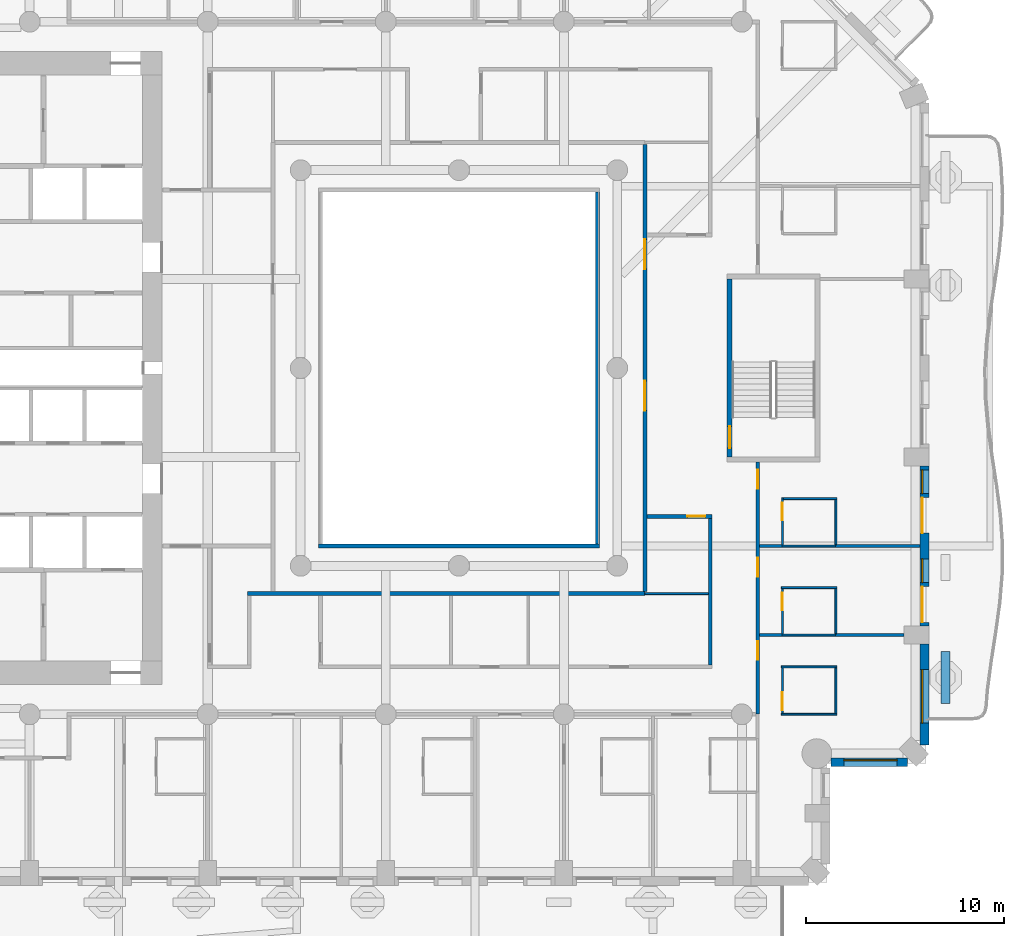
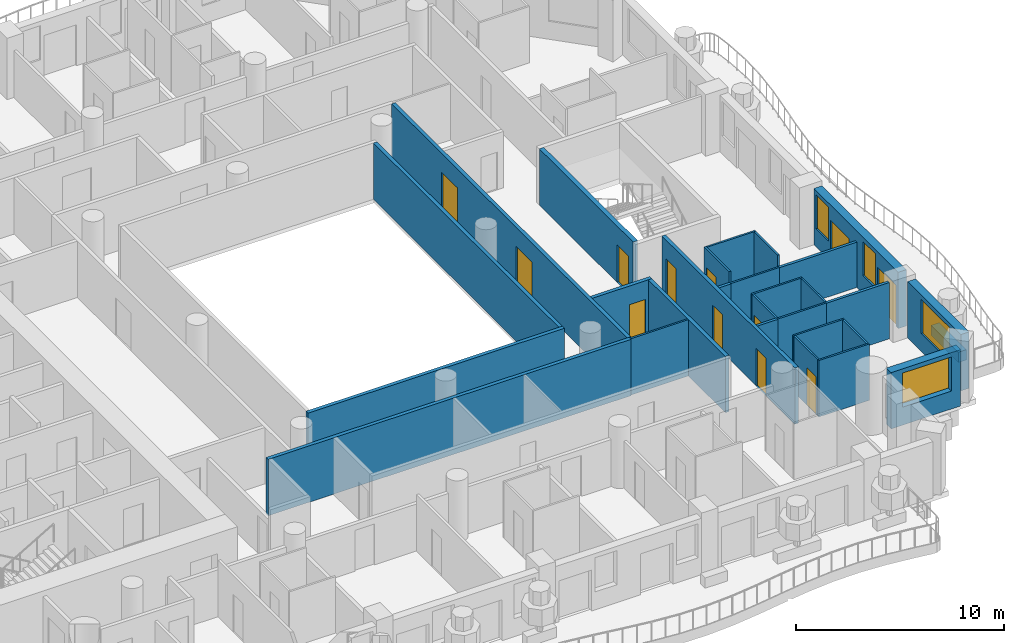
# One storey, part 6 of 20: 29 walls, 12 doors, 4 windows, 16 openings.
"""IFC4 building model written with IfcOpenShell, lengths in metres."""

from ifc_helpers import new_model, si_unit, direction, frame, frame_2d, origin, place, context, subcontext, project, spatial, rectangle, extrude, material, layer, layer_set, type_object, element, fill, save


model = new_model("IFC4")

# Units and contexts
model_context = context("Model", 3, precision=1e-05, world=origin(), true_north=direction((0.0, 1.0)))
body_context = subcontext(model_context, "Body", "Model", "MODEL_VIEW")
ifc_project = project(units=[si_unit("LENGTHUNIT", "METRE"), si_unit("AREAUNIT", "SQUARE_METRE"), si_unit("VOLUMEUNIT", "CUBIC_METRE"), si_unit("PLANEANGLEUNIT", "RADIAN"), si_unit("MASSUNIT", "GRAM", prefix="KILO")], contexts=[model_context])

# Site, building, storey
site_placement = place(None, origin())
site = spatial("IfcSite", under=ifc_project, at=site_placement, CompositionType="ELEMENT")
building_placement = place(site_placement, origin())
building = spatial("IfcBuilding", under=site, at=building_placement, Name="Cypress Arch Tower", CompositionType="ELEMENT")
storey_placement = place(building_placement, frame((0.0, 0.0, 131.10009765625)))
storey = spatial("IfcBuildingStorey", under=building, at=storey_placement, Name="L28", CompositionType="ELEMENT", Elevation=131.10009765625)

# Wall
ifc_material_1 = material(Name="Concrete C40/50, waterproofed", Category="concrete")
ifc_layer_1 = layer(ifc_material_1, 0.449951171875)
ifc_layer_set_1 = layer_set([ifc_layer_1], Name="Balcony planter wall PW450")
wall_type_1 = type_object("IfcWallType", Name="Balcony planter wall PW450", PredefinedType="SOLIDWALL", material=ifc_layer_set_1)
wall_1_placement = place(storey_placement, frame((25.60009765625, -16.949951171875, 0.0), z_axis=(0.0, 0.0, 1.0), x_axis=(0.0, 1.0, 0.0)))
element("IfcWall", 1, at=wall_1_placement, inside=storey, type_object=wall_type_1, Name="Balcony planter wall L28-A06.1", PredefinedType="SOLIDWALL", context=body_context, shape_type="SweptSolid", body=[
    extrude(rectangle(XDim=2.6142578125, YDim=0.449951171875, at=frame_2d((1.30712890625, 0.0))), origin(), (0.0, 0.0, 1.0), 0.599853515625),
])

# Wall, opening, window
ifc_material_2 = material(Name="Brick (red buff blend)", Category="masonry")
ifc_layer_2 = layer(ifc_material_2, 0.449951171875)
ifc_layer_set_2 = layer_set([ifc_layer_2], Name="Brick pier and spandrel wall BW450")
wall_type_2 = type_object("IfcWallType", Name="Brick pier and spandrel wall BW450", PredefinedType="SOLIDWALL", material=ifc_layer_set_2)
wall_2_placement = place(storey_placement, frame((19.806884765625, -19.925048828125, 0.0), z_axis=(0.0, 0.0, 1.0), x_axis=(1.0, 0.0, 0.0)))
wall_2 = element("IfcWall", 2, at=wall_2_placement, inside=storey, type_object=wall_type_2, Name="Brick wall L28 A05.0", PredefinedType="SOLIDWALL", context=body_context, shape_type="SweptSolid", body=[
    extrude(rectangle(XDim=3.856689453125, YDim=0.449951171875, at=frame_2d((1.92822265625, 0.0))), origin(), (0.0, 0.0, 1.0), 3.2998046875),
])
opening_1_placement = place(wall_2_placement, frame((0.64306640625, 0.0, 1.050048828125)))
opening_1 = element("IfcOpeningElement", 3, at=opening_1_placement, cuts=wall_2, Name="Opening W270H", PredefinedType="OPENING", context=body_context, shape_type="SweptSolid", body=[
    extrude(rectangle(XDim=2.699951171875, YDim=2.0, at=frame_2d((1.35009765625, 1.0))), frame((0.0, 0.23486328125, 0.0), z_axis=(0.0, -1.0, 0.0), x_axis=(1.0, 0.0, 0.0)), (0.0, 0.0, 1.0), 0.469970703125),
])
ifc_material_3 = material(Name="Anodised aluminium, bronze finish, clear low-emissivity double glazing", Category="aluminium")
window_type_1 = type_object("IfcWindowType", Name="Window Hotel 2700x2000", PartitioningType="SINGLE_PANEL", PredefinedType="WINDOW", material=ifc_material_3)
window_1_placement = place(opening_1_placement, origin())
window_1 = element("IfcWindow", 4, at=window_1_placement, inside=storey, type_object=window_type_1, Name="Window L28 A05.0.1", OverallHeight=2.0, OverallWidth=2.699951171875, PartitioningType="SINGLE_PANEL", PredefinedType="WINDOW", context=body_context, shape_type="SweptSolid", body=[
    extrude(rectangle(XDim=2.699951171875, YDim=2.0, at=frame_2d((1.35009765625, 1.0))), frame((0.0, 0.135009765625, 0.0), z_axis=(0.0, -1.0, 0.0), x_axis=(1.0, 0.0, 0.0)), (0.0, 0.0, 1.0), 0.06005859375),
])
fill(opening_1, window_1)

wall_3_placement = place(storey_placement, frame((24.52490234375, -19.063720703125, 0.0), z_axis=(0.0, 0.0, 1.0), x_axis=(0.0, 1.0, 0.0)))
wall_3 = element("IfcWall", 5, at=wall_3_placement, inside=storey, type_object=wall_type_2, Name="Brick wall L28 A06.0", PredefinedType="SOLIDWALL", context=body_context, shape_type="SweptSolid", body=[
    extrude(rectangle(XDim=5.11376953125, YDim=0.449951171875, at=frame_2d((2.556884765625, 0.0))), origin(), (0.0, 0.0, 1.0), 3.2998046875),
])
opening_2_placement = place(wall_3_placement, frame((1.113525390625, 0.0, 1.050048828125)))
opening_2 = element("IfcOpeningElement", 6, at=opening_2_placement, cuts=wall_3, Name="Opening W270HD", PredefinedType="OPENING", context=body_context, shape_type="SweptSolid", body=[
    extrude(rectangle(XDim=2.699951171875, YDim=2.0, at=frame_2d((1.35009765625, 1.0))), frame((0.0, 0.23486328125, 0.0), z_axis=(0.0, -1.0, 0.0), x_axis=(1.0, 0.0, 0.0)), (0.0, 0.0, 1.0), 0.469970703125),
])
ifc_material_4 = material(Name="Anodised aluminium, bronze finish, laminated low-emissivity double glazing, large-missile impact rated", Category="aluminium")
window_type_2 = type_object("IfcWindowType", Name="Window Hotel 2700x2000 debris-rated", PartitioningType="SINGLE_PANEL", PredefinedType="WINDOW", material=ifc_material_4)
window_2_placement = place(opening_2_placement, origin())
window_2 = element("IfcWindow", 7, at=window_2_placement, inside=storey, type_object=window_type_2, Name="Window L28 A06.0.1", OverallHeight=2.0, OverallWidth=2.699951171875, PartitioningType="SINGLE_PANEL", PredefinedType="WINDOW", context=body_context, shape_type="SweptSolid", body=[
    extrude(rectangle(XDim=2.699951171875, YDim=2.0, at=frame_2d((1.35009765625, 1.0))), frame((0.0, 0.135009765625, 0.0), z_axis=(0.0, -1.0, 0.0), x_axis=(1.0, 0.0, 0.0)), (0.0, 0.0, 1.0), 0.06005859375),
])
fill(opening_2, window_2)

# Wall, openings, doors, windows
wall_4_placement = place(storey_placement, frame((24.52490234375, -13.050048828125, 0.0), z_axis=(0.0, 0.0, 1.0), x_axis=(0.0, 1.0, 0.0)))
wall_4 = element("IfcWall", 8, at=wall_4_placement, inside=storey, type_object=wall_type_2, Name="Brick wall L28 A06.1", PredefinedType="SOLIDWALL", context=body_context, shape_type="SweptSolid", body=[
    extrude(rectangle(XDim=8.10009765625, YDim=0.449951171875, at=frame_2d((4.050048828125, 0.0))), origin(), (0.0, 0.0, 1.0), 3.2998046875),
])
opening_3_placement = place(wall_4_placement, frame((0.199951171875, 0.0, 0.0)))
opening_3 = element("IfcOpeningElement", 9, at=opening_3_placement, cuts=wall_4, Name="Opening D-L28-A06.1.1", PredefinedType="OPENING", context=body_context, shape_type="SweptSolid", body=[
    extrude(rectangle(XDim=1.800048828125, YDim=2.39990234375, at=frame_2d((0.89990234375, 1.199951171875))), frame((0.0, 0.23486328125, 0.0), z_axis=(0.0, -1.0, 0.0), x_axis=(1.0, 0.0, 0.0)), (0.0, 0.0, 1.0), 0.469970703125),
])
opening_4_placement = place(wall_4_placement, frame((2.199951171875, 0.0, 1.050048828125)))
opening_4 = element("IfcOpeningElement", 10, at=opening_4_placement, cuts=wall_4, Name="Opening W120HD", PredefinedType="OPENING", context=body_context, shape_type="SweptSolid", body=[
    extrude(rectangle(XDim=1.199951171875, YDim=2.0, at=frame_2d((0.60009765625, 1.0))), frame((0.0, 0.23486328125, 0.0), z_axis=(0.0, -1.0, 0.0), x_axis=(1.0, 0.0, 0.0)), (0.0, 0.0, 1.0), 0.469970703125),
])
opening_5_placement = place(wall_4_placement, frame((4.699951171875, 0.0, 0.0)))
opening_5 = element("IfcOpeningElement", 11, at=opening_5_placement, cuts=wall_4, Name="Opening D-L28-A06.1.2", PredefinedType="OPENING", context=body_context, shape_type="SweptSolid", body=[
    extrude(rectangle(XDim=1.800048828125, YDim=2.39990234375, at=frame_2d((0.89990234375, 1.199951171875))), frame((0.0, 0.23486328125, 0.0), z_axis=(0.0, -1.0, 0.0), x_axis=(1.0, 0.0, 0.0)), (0.0, 0.0, 1.0), 0.469970703125),
])
opening_6_placement = place(wall_4_placement, frame((6.699951171875, 0.0, 1.050048828125)))
opening_6 = element("IfcOpeningElement", 12, at=opening_6_placement, cuts=wall_4, Name="Opening W120HD", PredefinedType="OPENING", context=body_context, shape_type="SweptSolid", body=[
    extrude(rectangle(XDim=1.199951171875, YDim=2.0, at=frame_2d((0.60009765625, 1.0))), frame((0.0, 0.23486328125, 0.0), z_axis=(0.0, -1.0, 0.0), x_axis=(1.0, 0.0, 0.0)), (0.0, 0.0, 1.0), 0.469970703125),
])
ifc_material_5 = material(Name="Anodised aluminium, bronze finish, laminated low-emissivity double glazing, large-missile impact rated", Category="aluminium")
door_type_1 = type_object("IfcDoorType", Name="Balcony sliding door 1800x2400", OperationType="SLIDING_TO_LEFT", PredefinedType="DOOR", material=ifc_material_5)
door_1_placement = place(opening_3_placement, origin())
door_1 = element("IfcDoor", 13, at=door_1_placement, inside=storey, type_object=door_type_1, Name="Balcony door L28 A06.1.1", OperationType="SLIDING_TO_LEFT", OverallHeight=2.39990234375, OverallWidth=1.800048828125, PredefinedType="DOOR", context=body_context, shape_type="SweptSolid", body=[
    extrude(rectangle(XDim=1.800048828125, YDim=2.39990234375, at=frame_2d((0.89990234375, 1.199951171875))), frame((0.0, 0.1298828125, 0.0), z_axis=(0.0, -1.0, 0.0), x_axis=(1.0, 0.0, 0.0)), (0.0, 0.0, 1.0), 0.050048828125),
])
fill(opening_3, door_1)
door_2_placement = place(opening_5_placement, origin())
door_2 = element("IfcDoor", 14, at=door_2_placement, inside=storey, type_object=door_type_1, Name="Balcony door L28 A06.1.2", OperationType="SLIDING_TO_LEFT", OverallHeight=2.39990234375, OverallWidth=1.800048828125, PredefinedType="DOOR", context=body_context, shape_type="SweptSolid", body=[
    extrude(rectangle(XDim=1.800048828125, YDim=2.39990234375, at=frame_2d((0.89990234375, 1.199951171875))), frame((0.0, 0.1298828125, 0.0), z_axis=(0.0, -1.0, 0.0), x_axis=(1.0, 0.0, 0.0)), (0.0, 0.0, 1.0), 0.050048828125),
])
fill(opening_5, door_2)
ifc_material_6 = material(Name="Anodised aluminium, bronze finish, laminated low-emissivity double glazing, large-missile impact rated", Category="aluminium")
window_type_3 = type_object("IfcWindowType", Name="Window Hotel 1200x2000 debris-rated", PartitioningType="SINGLE_PANEL", PredefinedType="WINDOW", material=ifc_material_6)
window_3_placement = place(opening_4_placement, origin())
window_3 = element("IfcWindow", 15, at=window_3_placement, inside=storey, type_object=window_type_3, Name="Window L28 A06.1.1", OverallHeight=2.0, OverallWidth=1.199951171875, PartitioningType="SINGLE_PANEL", PredefinedType="WINDOW", context=body_context, shape_type="SweptSolid", body=[
    extrude(rectangle(XDim=1.199951171875, YDim=2.0, at=frame_2d((0.60009765625, 1.0))), frame((0.0, 0.135009765625, 0.0), z_axis=(0.0, -1.0, 0.0), x_axis=(1.0, 0.0, 0.0)), (0.0, 0.0, 1.0), 0.06005859375),
])
fill(opening_4, window_3)
window_4_placement = place(opening_6_placement, origin())
window_4 = element("IfcWindow", 16, at=window_4_placement, inside=storey, type_object=window_type_3, Name="Window L28 A06.1.2", OverallHeight=2.0, OverallWidth=1.199951171875, PartitioningType="SINGLE_PANEL", PredefinedType="WINDOW", context=body_context, shape_type="SweptSolid", body=[
    extrude(rectangle(XDim=1.199951171875, YDim=2.0, at=frame_2d((0.60009765625, 1.0))), frame((0.0, 0.135009765625, 0.0), z_axis=(0.0, -1.0, 0.0), x_axis=(1.0, 0.0, 0.0)), (0.0, 0.0, 1.0), 0.06005859375),
])
fill(opening_6, window_4)

# Walls
ifc_material_7 = material(Name="Concrete blockwork, plastered, rated", Category="masonry")
ifc_layer_3 = layer(ifc_material_7, 0.199951171875)
ifc_layer_set_3 = layer_set([ifc_layer_3], Name="Corridor wall FW200")
wall_type_3 = type_object("IfcWallType", Name="Corridor wall FW200", PredefinedType="PARTITIONING", material=ifc_layer_set_3)
wall_5_placement = place(storey_placement, frame((-9.699951171875, -11.39892578125, 0.0), z_axis=(0.0, 0.0, 1.0), x_axis=(1.0, 0.0, 0.0)))
element("IfcWall", 17, at=wall_5_placement, inside=storey, type_object=wall_type_3, Name="Corridor wall", PredefinedType="PARTITIONING", context=body_context, shape_type="SweptSolid", body=[
    extrude(rectangle(XDim=20.099853515625, YDim=0.199951171875, at=frame_2d((10.0498046875, 0.0))), origin(), (0.0, 0.0, 1.0), 3.2998046875),
])
wall_6_placement = place(storey_placement, frame((-6.10009765625, -9.0, 0.0), z_axis=(0.0, 0.0, 1.0), x_axis=(1.0, 0.0, 0.0)))
element("IfcWall", 18, at=wall_6_placement, inside=storey, type_object=wall_type_3, Name="Corridor wall", PredefinedType="PARTITIONING", context=body_context, shape_type="SweptSolid", body=[
    extrude(rectangle(XDim=14.2001953125, YDim=0.199951171875, at=frame_2d((7.10009765625, 0.0))), origin(), (0.0, 0.0, 1.0), 3.2998046875),
])
wall_7_placement = place(storey_placement, frame((8.0, -8.89990234375, 0.0), z_axis=(0.0, 0.0, 1.0), x_axis=(0.0, 1.0, 0.0)))
element("IfcWall", 19, at=wall_7_placement, inside=storey, type_object=wall_type_3, Name="Corridor wall", PredefinedType="PARTITIONING", context=body_context, shape_type="SweptSolid", body=[
    extrude(rectangle(XDim=17.7998046875, YDim=0.199951171875, at=frame_2d((8.89990234375, 0.0))), origin(), (0.0, 0.0, 1.0), 3.2998046875),
])

# Wall, openings, doors
wall_8_placement = place(storey_placement, frame((10.39990234375, -11.300048828125, 0.0), z_axis=(0.0, 0.0, 1.0), x_axis=(0.0, 1.0, 0.0)))
wall_8 = element("IfcWall", 20, at=wall_8_placement, inside=storey, type_object=wall_type_3, Name="Corridor wall", PredefinedType="PARTITIONING", context=body_context, shape_type="SweptSolid", body=[
    extrude(rectangle(XDim=22.60009765625, YDim=0.199951171875, at=frame_2d((11.300048828125, 0.0))), origin(), (0.0, 0.0, 1.0), 3.2998046875),
])
opening_7_placement = place(wall_8_placement, frame((16.300048828125, 0.0, 0.0)))
opening_7 = element("IfcOpeningElement", 21, at=opening_7_placement, cuts=wall_8, Name="Opening D04", PredefinedType="OPENING", context=body_context, shape_type="SweptSolid", body=[
    extrude(rectangle(XDim=1.5, YDim=2.199951171875, at=frame_2d((0.75, 1.10009765625))), frame((0.0, 0.10986328125, 0.0), z_axis=(0.0, -1.0, 0.0), x_axis=(1.0, 0.0, 0.0)), (0.0, 0.0, 1.0), 0.219970703125),
])
opening_8_placement = place(wall_8_placement, frame((9.14990234375, 0.0, 0.0)))
opening_8 = element("IfcOpeningElement", 22, at=opening_8_placement, cuts=wall_8, Name="Opening D04", PredefinedType="OPENING", context=body_context, shape_type="SweptSolid", body=[
    extrude(rectangle(XDim=1.5, YDim=2.199951171875, at=frame_2d((0.75, 1.10009765625))), frame((0.0, 0.10986328125, 0.0), z_axis=(0.0, -1.0, 0.0), x_axis=(1.0, 0.0, 0.0)), (0.0, 0.0, 1.0), 0.219970703125),
])
ifc_material_8 = material(Name="Timber double door", Category="wood")
door_type_2 = type_object("IfcDoorType", Name="Double door D04 1500x2200", OperationType="DOUBLE_DOOR_SINGLE_SWING", PredefinedType="DOOR", material=ifc_material_8)
door_3_placement = place(opening_7_placement, origin())
door_3 = element("IfcDoor", 23, at=door_3_placement, inside=storey, type_object=door_type_2, Name="Double door", OperationType="DOUBLE_DOOR_SINGLE_SWING", OverallHeight=2.199951171875, OverallWidth=1.5, PredefinedType="DOOR", context=body_context, shape_type="SweptSolid", body=[
    extrude(rectangle(XDim=1.5, YDim=2.199951171875, at=frame_2d((0.75, 1.10009765625))), frame((0.0, 0.02490234375, 0.0), z_axis=(0.0, -1.0, 0.0), x_axis=(1.0, 0.0, 0.0)), (0.0, 0.0, 1.0), 0.050048828125),
])
fill(opening_7, door_3)
door_4_placement = place(opening_8_placement, origin())
door_4 = element("IfcDoor", 24, at=door_4_placement, inside=storey, type_object=door_type_2, Name="Double door", OperationType="DOUBLE_DOOR_SINGLE_SWING", OverallHeight=2.199951171875, OverallWidth=1.5, PredefinedType="DOOR", context=body_context, shape_type="SweptSolid", body=[
    extrude(rectangle(XDim=1.5, YDim=2.199951171875, at=frame_2d((0.75, 1.10009765625))), frame((0.0, 0.02490234375, 0.0), z_axis=(0.0, -1.0, 0.0), x_axis=(1.0, 0.0, 0.0)), (0.0, 0.0, 1.0), 0.050048828125),
])
fill(opening_8, door_4)

# Wall, opening, door
wall_9_placement = place(storey_placement, frame((10.5, -7.5, 0.0), z_axis=(0.0, 0.0, 1.0), x_axis=(1.0, 0.0, 0.0)))
wall_9 = element("IfcWall", 25, at=wall_9_placement, inside=storey, type_object=wall_type_3, Name="Corridor wall", PredefinedType="PARTITIONING", context=body_context, shape_type="SweptSolid", body=[
    extrude(rectangle(XDim=3.300048828125, YDim=0.199951171875, at=frame_2d((1.64990234375, 0.0))), origin(), (0.0, 0.0, 1.0), 3.2998046875),
])
opening_9_placement = place(wall_9_placement, frame((2.050048828125, 0.0, 0.0)))
opening_9 = element("IfcOpeningElement", 26, at=opening_9_placement, cuts=wall_9, Name="Opening D05", PredefinedType="OPENING", context=body_context, shape_type="SweptSolid", body=[
    extrude(rectangle(XDim=0.89990234375, YDim=2.199951171875, at=frame_2d((0.449951171875, 1.10009765625))), frame((0.0, 0.10986328125, 0.0), z_axis=(0.0, -1.0, 0.0), x_axis=(1.0, 0.0, 0.0)), (0.0, 0.0, 1.0), 0.219970703125),
])
ifc_material_9 = material(Name="Timber flush door", Category="wood")
door_type_3 = type_object("IfcDoorType", Name="Service door D05 900x2200", OperationType="SINGLE_SWING_LEFT", PredefinedType="DOOR", material=ifc_material_9)
door_5_placement = place(opening_9_placement, origin())
door_5 = element("IfcDoor", 27, at=door_5_placement, inside=storey, type_object=door_type_3, Name="Service door", OperationType="SINGLE_SWING_LEFT", OverallHeight=2.199951171875, OverallWidth=0.89990234375, PredefinedType="DOOR", context=body_context, shape_type="SweptSolid", body=[
    extrude(rectangle(XDim=0.89990234375, YDim=2.199951171875, at=frame_2d((0.449951171875, 1.10009765625))), frame((0.0, 0.02490234375, 0.0), z_axis=(0.0, -1.0, 0.0), x_axis=(1.0, 0.0, 0.0)), (0.0, 0.0, 1.0), 0.050048828125),
])
fill(opening_9, door_5)

# Wall
wall_10_placement = place(storey_placement, frame((13.699951171875, -15.0, 0.0), z_axis=(0.0, 0.0, 1.0), x_axis=(0.0, 1.0, 0.0)))
element("IfcWall", 28, at=wall_10_placement, inside=storey, type_object=wall_type_3, Name="Corridor wall", PredefinedType="PARTITIONING", context=body_context, shape_type="SweptSolid", body=[
    extrude(rectangle(XDim=7.39990234375, YDim=0.199951171875, at=frame_2d((3.699951171875, 0.0))), origin(), (0.0, 0.0, 1.0), 3.2998046875),
])

# Wall, openings, doors
wall_11_placement = place(storey_placement, frame((16.10009765625, -17.5, 0.0), z_axis=(0.0, 0.0, 1.0), x_axis=(0.0, 1.0, 0.0)))
wall_11 = element("IfcWall", 29, at=wall_11_placement, inside=storey, type_object=wall_type_3, Name="Corridor wall", PredefinedType="PARTITIONING", context=body_context, shape_type="SweptSolid", body=[
    extrude(rectangle(XDim=12.75, YDim=0.199951171875, at=frame_2d((6.375, 0.0))), origin(), (0.0, 0.0, 1.0), 3.2998046875),
])
opening_10_placement = place(wall_11_placement, frame((2.75, 0.0, 0.0)))
opening_10 = element("IfcOpeningElement", 30, at=opening_10_placement, cuts=wall_11, Name="Opening D02", PredefinedType="OPENING", context=body_context, shape_type="SweptSolid", body=[
    extrude(rectangle(XDim=0.949951171875, YDim=2.199951171875, at=frame_2d((0.47509765625, 1.10009765625))), frame((0.0, 0.10986328125, 0.0), z_axis=(0.0, -1.0, 0.0), x_axis=(1.0, 0.0, 0.0)), (0.0, 0.0, 1.0), 0.219970703125),
])
opening_11_placement = place(wall_11_placement, frame((6.949951171875, 0.0, 0.0)))
opening_11 = element("IfcOpeningElement", 31, at=opening_11_placement, cuts=wall_11, Name="Opening D02", PredefinedType="OPENING", context=body_context, shape_type="SweptSolid", body=[
    extrude(rectangle(XDim=0.949951171875, YDim=2.199951171875, at=frame_2d((0.47509765625, 1.10009765625))), frame((0.0, 0.10986328125, 0.0), z_axis=(0.0, -1.0, 0.0), x_axis=(1.0, 0.0, 0.0)), (0.0, 0.0, 1.0), 0.219970703125),
])
opening_12_placement = place(wall_11_placement, frame((11.39990234375, 0.0, 0.0)))
opening_12 = element("IfcOpeningElement", 32, at=opening_12_placement, cuts=wall_11, Name="Opening D02", PredefinedType="OPENING", context=body_context, shape_type="SweptSolid", body=[
    extrude(rectangle(XDim=0.949951171875, YDim=2.199951171875, at=frame_2d((0.47509765625, 1.10009765625))), frame((0.0, 0.10986328125, 0.0), z_axis=(0.0, -1.0, 0.0), x_axis=(1.0, 0.0, 0.0)), (0.0, 0.0, 1.0), 0.219970703125),
])
ifc_material_10 = material(Name="Timber flush door, fire resisting", Category="wood")
door_type_4 = type_object("IfcDoorType", Name="Room door D02 950x2200", OperationType="SINGLE_SWING_LEFT", PredefinedType="DOOR", material=ifc_material_10)
door_6_placement = place(opening_10_placement, origin())
door_6 = element("IfcDoor", 33, at=door_6_placement, inside=storey, type_object=door_type_4, Name="Room door", OperationType="SINGLE_SWING_LEFT", OverallHeight=2.199951171875, OverallWidth=0.949951171875, PredefinedType="DOOR", context=body_context, shape_type="SweptSolid", body=[
    extrude(rectangle(XDim=0.949951171875, YDim=2.199951171875, at=frame_2d((0.47509765625, 1.10009765625))), frame((0.0, 0.02490234375, 0.0), z_axis=(0.0, -1.0, 0.0), x_axis=(1.0, 0.0, 0.0)), (0.0, 0.0, 1.0), 0.050048828125),
])
fill(opening_10, door_6)
door_7_placement = place(opening_11_placement, origin())
door_7 = element("IfcDoor", 34, at=door_7_placement, inside=storey, type_object=door_type_4, Name="Room door", OperationType="SINGLE_SWING_LEFT", OverallHeight=2.199951171875, OverallWidth=0.949951171875, PredefinedType="DOOR", context=body_context, shape_type="SweptSolid", body=[
    extrude(rectangle(XDim=0.949951171875, YDim=2.199951171875, at=frame_2d((0.47509765625, 1.10009765625))), frame((0.0, 0.02490234375, 0.0), z_axis=(0.0, -1.0, 0.0), x_axis=(1.0, 0.0, 0.0)), (0.0, 0.0, 1.0), 0.050048828125),
])
fill(opening_11, door_7)
door_8_placement = place(opening_12_placement, origin())
door_8 = element("IfcDoor", 35, at=door_8_placement, inside=storey, type_object=door_type_4, Name="Room door", OperationType="SINGLE_SWING_LEFT", OverallHeight=2.199951171875, OverallWidth=0.949951171875, PredefinedType="DOOR", context=body_context, shape_type="SweptSolid", body=[
    extrude(rectangle(XDim=0.949951171875, YDim=2.199951171875, at=frame_2d((0.47509765625, 1.10009765625))), frame((0.0, 0.02490234375, 0.0), z_axis=(0.0, -1.0, 0.0), x_axis=(1.0, 0.0, 0.0)), (0.0, 0.0, 1.0), 0.050048828125),
])
fill(opening_12, door_8)

# Walls
ifc_material_11 = material(Name="Blockwork, plastered both sides", Category="masonry")
ifc_layer_4 = layer(ifc_material_11, 0.14990234375)
ifc_layer_set_4 = layer_set([ifc_layer_4], Name="Partition PW150")
wall_type_4 = type_object("IfcWallType", Name="Partition PW150", PredefinedType="PARTITIONING", material=ifc_layer_set_4)
wall_12_placement = place(storey_placement, frame((16.199951171875, -13.5, 0.0), z_axis=(0.0, 0.0, 1.0), x_axis=(1.0, 0.0, 0.0)))
element("IfcWall", 36, at=wall_12_placement, inside=storey, type_object=wall_type_4, Name="Partition", PredefinedType="PARTITIONING", context=body_context, shape_type="SweptSolid", body=[
    extrude(rectangle(XDim=1.130126953125, YDim=0.14990234375, at=frame_2d((0.56494140625, 0.0))), origin(), (0.0, 0.0, 1.0), 3.2998046875),
])
wall_13_placement = place(storey_placement, frame((16.199951171875, -9.0, 0.0), z_axis=(0.0, 0.0, 1.0), x_axis=(1.0, 0.0, 0.0)))
element("IfcWall", 37, at=wall_13_placement, inside=storey, type_object=wall_type_4, Name="Partition", PredefinedType="PARTITIONING", context=body_context, shape_type="SweptSolid", body=[
    extrude(rectangle(XDim=1.130126953125, YDim=0.14990234375, at=frame_2d((0.56494140625, 0.0))), origin(), (0.0, 0.0, 1.0), 2.64990234375),
])
wall_14_placement = place(storey_placement, frame((20.030029296875, -13.5, 0.0), z_axis=(0.0, 0.0, 1.0), x_axis=(1.0, 0.0, 0.0)))
element("IfcWall", 38, at=wall_14_placement, inside=storey, type_object=wall_type_4, Name="Partition", PredefinedType="PARTITIONING", context=body_context, shape_type="SweptSolid", body=[
    extrude(rectangle(XDim=3.469970703125, YDim=0.14990234375, at=frame_2d((1.73486328125, 0.0))), origin(), (0.0, 0.0, 1.0), 3.2998046875),
])
wall_15_placement = place(storey_placement, frame((20.030029296875, -9.0, 0.0), z_axis=(0.0, 0.0, 1.0), x_axis=(1.0, 0.0, 0.0)))
element("IfcWall", 39, at=wall_15_placement, inside=storey, type_object=wall_type_4, Name="Partition", PredefinedType="PARTITIONING", context=body_context, shape_type="SweptSolid", body=[
    extrude(rectangle(XDim=4.27001953125, YDim=0.14990234375, at=frame_2d((2.135009765625, 0.0))), origin(), (0.0, 0.0, 1.0), 2.64990234375),
])

# Wall, opening, door
ifc_material_12 = material(Name="Concrete C50/60", Category="concrete")
ifc_layer_5 = layer(ifc_material_12, 0.25)
ifc_layer_set_5 = layer_set([ifc_layer_5], Name="Stair enclosure wall SW250")
wall_type_5 = type_object("IfcWallType", Name="Stair enclosure wall SW250", PredefinedType="SHEAR", material=ifc_layer_set_5)
wall_16_placement = place(storey_placement, frame((14.675048828125, -4.5, 0.0), z_axis=(0.0, 0.0, 1.0), x_axis=(0.0, 1.0, 0.0)))
wall_16 = element("IfcWall", 40, at=wall_16_placement, inside=storey, type_object=wall_type_5, Name="Stair enclosure wall", PredefinedType="SHEAR", context=body_context, shape_type="SweptSolid", body=[
    extrude(rectangle(XDim=9.0, YDim=0.25, at=frame_2d((4.5, 0.0))), origin(), (0.0, 0.0, 1.0), 3.2998046875),
])
opening_13_placement = place(wall_16_placement, frame((0.449951171875, 0.0, 0.0)))
opening_13 = element("IfcOpeningElement", 41, at=opening_13_placement, cuts=wall_16, Name="Opening D06", PredefinedType="OPENING", context=body_context, shape_type="SweptSolid", body=[
    extrude(rectangle(XDim=1.10009765625, YDim=2.199951171875, at=frame_2d((0.550048828125, 1.10009765625))), frame((0.0, 0.135009765625, 0.0), z_axis=(0.0, -1.0, 0.0), x_axis=(1.0, 0.0, 0.0)), (0.0, 0.0, 1.0), 0.27001953125),
])
ifc_material_13 = material(Name="Steel door, fire resisting, panic bar", Category="steel")
door_type_5 = type_object("IfcDoorType", Name="Stair door D06 1100x2200", OperationType="SINGLE_SWING_LEFT", PredefinedType="DOOR", material=ifc_material_13)
door_9_placement = place(opening_13_placement, origin())
door_9 = element("IfcDoor", 42, at=door_9_placement, inside=storey, type_object=door_type_5, Name="Stair door", OperationType="SINGLE_SWING_RIGHT", OverallHeight=2.199951171875, OverallWidth=1.10009765625, PredefinedType="DOOR", context=body_context, shape_type="SweptSolid", body=[
    extrude(rectangle(XDim=1.10009765625, YDim=2.199951171875, at=frame_2d((0.550048828125, 1.10009765625))), frame((0.0, 0.02490234375, 0.0), z_axis=(0.0, -1.0, 0.0), x_axis=(1.0, 0.0, 0.0)), (0.0, 0.0, 1.0), 0.050048828125),
])
fill(opening_13, door_9)

# Walls
ifc_material_14 = material(Name="Moisture resistant board on steel studs, tiled", Category="steel")
ifc_layer_6 = layer(ifc_material_14, 0.10009765625)
ifc_layer_set_6 = layer_set([ifc_layer_6], Name="Wet wall PW100")
wall_type_6 = type_object("IfcWallType", Name="Wet wall PW100", PredefinedType="PARTITIONING", material=ifc_layer_set_6)
wall_17_placement = place(storey_placement, frame((10.39990234375, -11.39990234375, 0.0), z_axis=(0.0, 0.0, 1.0), x_axis=(1.0, 0.0, 0.0)))
element("IfcWall", 43, at=wall_17_placement, inside=storey, type_object=wall_type_6, Name="Wet wall", PredefinedType="PARTITIONING", context=body_context, shape_type="SweptSolid", body=[
    extrude(rectangle(XDim=3.2001953125, YDim=0.10009765625, at=frame_2d((1.60009765625, 0.0))), origin(), (0.0, 0.0, 1.0), 3.2998046875),
])
wall_18_placement = place(storey_placement, frame((17.330078125, -13.5, 0.0), z_axis=(0.0, 0.0, 1.0), x_axis=(1.0, 0.0, 0.0)))
element("IfcWall", 44, at=wall_18_placement, inside=storey, type_object=wall_type_6, Name="Wet wall", PredefinedType="PARTITIONING", context=body_context, shape_type="SweptSolid", body=[
    extrude(rectangle(XDim=2.699951171875, YDim=0.10009765625, at=frame_2d((1.35009765625, 0.0))), origin(), (0.0, 0.0, 1.0), 3.2998046875),
])
wall_19_placement = place(storey_placement, frame((17.330078125, -9.0, 0.0), z_axis=(0.0, 0.0, 1.0), x_axis=(1.0, 0.0, 0.0)))
element("IfcWall", 45, at=wall_19_placement, inside=storey, type_object=wall_type_6, Name="Wet wall", PredefinedType="PARTITIONING", context=body_context, shape_type="SweptSolid", body=[
    extrude(rectangle(XDim=2.699951171875, YDim=0.10009765625, at=frame_2d((1.35009765625, 0.0))), origin(), (0.0, 0.0, 1.0), 2.64990234375),
])

# Wall, opening, door
wall_20_placement = place(storey_placement, frame((17.35009765625, -17.449951171875, 0.0), z_axis=(0.0, 0.0, 1.0), x_axis=(0.0, 1.0, 0.0)))
wall_20 = element("IfcWall", 46, at=wall_20_placement, inside=storey, type_object=wall_type_6, Name="Wet wall", PredefinedType="PARTITIONING", context=body_context, shape_type="SweptSolid", body=[
    extrude(rectangle(XDim=2.300048828125, YDim=0.10009765625, at=frame_2d((1.14990234375, 0.0))), origin(), (0.0, 0.0, 1.0), 3.2998046875),
])
opening_14_placement = place(wall_20_placement, frame((0.14990234375, 0.0, 0.0)))
opening_14 = element("IfcOpeningElement", 47, at=opening_14_placement, cuts=wall_20, Name="Opening D03", PredefinedType="OPENING", context=body_context, shape_type="SweptSolid", body=[
    extrude(rectangle(XDim=0.89990234375, YDim=2.199951171875, at=frame_2d((0.449951171875, 1.10009765625))), frame((0.0, 0.06005859375, 0.0), z_axis=(0.0, -1.0, 0.0), x_axis=(1.0, 0.0, 0.0)), (0.0, 0.0, 1.0), 0.1201171875),
])
ifc_material_15 = material(Name="Timber flush door, moisture resistant", Category="wood")
door_type_6 = type_object("IfcDoorType", Name="Bathroom door D03 900x2200", OperationType="SINGLE_SWING_LEFT", PredefinedType="DOOR", material=ifc_material_15)
door_10_placement = place(opening_14_placement, origin())
door_10 = element("IfcDoor", 48, at=door_10_placement, inside=storey, type_object=door_type_6, Name="Bathroom door", OperationType="SINGLE_SWING_RIGHT", OverallHeight=2.199951171875, OverallWidth=0.89990234375, PredefinedType="DOOR", context=body_context, shape_type="SweptSolid", body=[
    extrude(rectangle(XDim=0.89990234375, YDim=2.199951171875, at=frame_2d((0.449951171875, 1.10009765625))), frame((0.0, 0.02490234375, 0.0), z_axis=(0.0, -1.0, 0.0), x_axis=(1.0, 0.0, 0.0)), (0.0, 0.0, 1.0), 0.050048828125),
])
fill(opening_14, door_10)

# Walls
for number, where, z_axis, x_axis, name in (
    (49, (17.300048828125, -17.5, 0.0), (0.0, 0.0, 1.0), (1.0, 0.0, 0.0), "Wet wall"),
    (50, (17.300048828125, -15.10009765625, 0.0), (0.0, 0.0, 1.0), (1.0, 0.0, 0.0), "Wet wall"),
):
    element("IfcWall", number, at=place(storey_placement, frame(where, z_axis=z_axis, x_axis=x_axis)), inside=storey, type_object=wall_type_6, Name=name, PredefinedType="PARTITIONING", context=body_context, shape_type="SweptSolid", body=[
        extrude(rectangle(XDim=2.800048828125, YDim=0.10009765625, at=frame_2d((1.39990234375, 0.0))), origin(), (0.0, 0.0, 1.0), 3.2998046875),
    ])

# Wall, opening, door
wall_21_placement = place(storey_placement, frame((17.35009765625, -13.449951171875, 0.0), z_axis=(0.0, 0.0, 1.0), x_axis=(0.0, 1.0, 0.0)))
wall_21 = element("IfcWall", 51, at=wall_21_placement, inside=storey, type_object=wall_type_6, Name="Wet wall", PredefinedType="PARTITIONING", context=body_context, shape_type="SweptSolid", body=[
    extrude(rectangle(XDim=2.2958984375, YDim=0.10009765625, at=frame_2d((1.14794921875, 0.0))), origin(), (0.0, 0.0, 1.0), 3.2998046875),
])
opening_15_placement = place(wall_21_placement, frame((1.199951171875, 0.0, 0.0)))
opening_15 = element("IfcOpeningElement", 52, at=opening_15_placement, cuts=wall_21, Name="Opening D03", PredefinedType="OPENING", context=body_context, shape_type="SweptSolid", body=[
    extrude(rectangle(XDim=0.89990234375, YDim=2.199951171875, at=frame_2d((0.449951171875, 1.10009765625))), frame((0.0, 0.06005859375, 0.0), z_axis=(0.0, -1.0, 0.0), x_axis=(1.0, 0.0, 0.0)), (0.0, 0.0, 1.0), 0.1201171875),
])
door_11_placement = place(opening_15_placement, origin())
door_11 = element("IfcDoor", 53, at=door_11_placement, inside=storey, type_object=door_type_6, Name="Bathroom door", OperationType="SINGLE_SWING_LEFT", OverallHeight=2.199951171875, OverallWidth=0.89990234375, PredefinedType="DOOR", context=body_context, shape_type="SweptSolid", body=[
    extrude(rectangle(XDim=0.89990234375, YDim=2.199951171875, at=frame_2d((0.449951171875, 1.10009765625))), frame((0.0, 0.02490234375, 0.0), z_axis=(0.0, -1.0, 0.0), x_axis=(1.0, 0.0, 0.0)), (0.0, 0.0, 1.0), 0.050048828125),
])
fill(opening_15, door_11)

# Wall
wall_22_placement = place(storey_placement, frame((17.300048828125, -11.10400390625, 0.0), z_axis=(0.0, 0.0, 1.0), x_axis=(1.0, 0.0, 0.0)))
element("IfcWall", 54, at=wall_22_placement, inside=storey, type_object=wall_type_6, Name="Wet wall", PredefinedType="PARTITIONING", context=body_context, shape_type="SweptSolid", body=[
    extrude(rectangle(XDim=2.800048828125, YDim=0.10009765625, at=frame_2d((1.39990234375, 0.0))), origin(), (0.0, 0.0, 1.0), 3.2998046875),
])

# Wall, opening, door
wall_23_placement = place(storey_placement, frame((17.35009765625, -8.949951171875, 0.0), z_axis=(0.0, 0.0, 1.0), x_axis=(0.000407580973, 0.999999916939, 0.0)))
wall_23 = element("IfcWall", 55, at=wall_23_placement, inside=storey, type_object=wall_type_6, Name="Wet wall", PredefinedType="PARTITIONING", context=body_context, shape_type="SweptSolid", body=[
    extrude(rectangle(XDim=2.39599609375, YDim=0.10009765625, at=frame_2d((1.197998046875, 0.0))), origin(), (0.0, 0.0, 1.0), 3.2998046875),
])
opening_16_placement = place(wall_23_placement, frame((1.25, 0.0, 0.0)))
opening_16 = element("IfcOpeningElement", 56, at=opening_16_placement, cuts=wall_23, Name="Opening D03", PredefinedType="OPENING", context=body_context, shape_type="SweptSolid", body=[
    extrude(rectangle(XDim=0.89990234375, YDim=2.199951171875, at=frame_2d((0.449951171875, 1.10009765625))), frame((0.0, 0.06005859375, 0.0), z_axis=(0.0, -1.0, 0.0), x_axis=(1.0, 0.0, 0.0)), (0.0, 0.0, 1.0), 0.1201171875),
])
door_12_placement = place(opening_16_placement, origin())
door_12 = element("IfcDoor", 57, at=door_12_placement, inside=storey, type_object=door_type_6, Name="Bathroom door", OperationType="SINGLE_SWING_LEFT", OverallHeight=2.199951171875, OverallWidth=0.89990234375, PredefinedType="DOOR", context=body_context, shape_type="SweptSolid", body=[
    extrude(rectangle(XDim=0.89990234375, YDim=2.199951171875, at=frame_2d((0.449951171875, 1.10009765625))), frame((0.0, 0.02490234375, 0.0), z_axis=(0.0, -1.0, 0.0), x_axis=(1.0, 0.0, 0.0)), (0.0, 0.0, 1.0), 0.050048828125),
])
fill(opening_16, door_12)

# Walls
wall_24_placement = place(storey_placement, frame((17.40087890625, -6.60400390625, 0.0), z_axis=(0.0, 0.0, 1.0), x_axis=(0.9999999346, -0.000361663629, 0.0)))
element("IfcWall", 58, at=wall_24_placement, inside=storey, type_object=wall_type_6, Name="Wet wall", PredefinedType="PARTITIONING", context=body_context, shape_type="SweptSolid", body=[
    extrude(rectangle(XDim=2.7001953125, YDim=0.10009765625, at=frame_2d((1.35009765625, 0.0))), origin(), (0.0, 0.0, 1.0), 3.2998046875),
])
wall_25_placement = place(storey_placement, frame((20.050048828125, -17.449951171875, 0.0), z_axis=(0.0, 0.0, 1.0), x_axis=(0.0, 1.0, 0.0)))
element("IfcWall", 59, at=wall_25_placement, inside=storey, type_object=wall_type_6, Name="Wet wall", PredefinedType="PARTITIONING", context=body_context, shape_type="SweptSolid", body=[
    extrude(rectangle(XDim=2.300048828125, YDim=0.10009765625, at=frame_2d((1.14990234375, 0.0))), origin(), (0.0, 0.0, 1.0), 3.2998046875),
])
wall_26_placement = place(storey_placement, frame((20.050048828125, -13.425048828125, 0.0), z_axis=(0.0, 0.0, 1.0), x_axis=(0.0, 1.0, 0.0)))
element("IfcWall", 60, at=wall_26_placement, inside=storey, type_object=wall_type_6, Name="Wet wall", PredefinedType="PARTITIONING", context=body_context, shape_type="SweptSolid", body=[
    extrude(rectangle(XDim=2.27099609375, YDim=0.10009765625, at=frame_2d((1.135498046875, 0.0))), origin(), (0.0, 0.0, 1.0), 3.2998046875),
])
wall_27_placement = place(storey_placement, frame((20.050048828125, -8.925048828125, 0.0), z_axis=(0.0, 0.0, 1.0), x_axis=(0.000430200003, 0.999999907464, 0.0)))
element("IfcWall", 61, at=wall_27_placement, inside=storey, type_object=wall_type_6, Name="Wet wall", PredefinedType="PARTITIONING", context=body_context, shape_type="SweptSolid", body=[
    extrude(rectangle(XDim=2.27001953125, YDim=0.10009765625, at=frame_2d((1.135009765625, 0.0))), origin(), (0.0, 0.0, 1.0), 3.2998046875),
])

save(model, "model.ifc")
